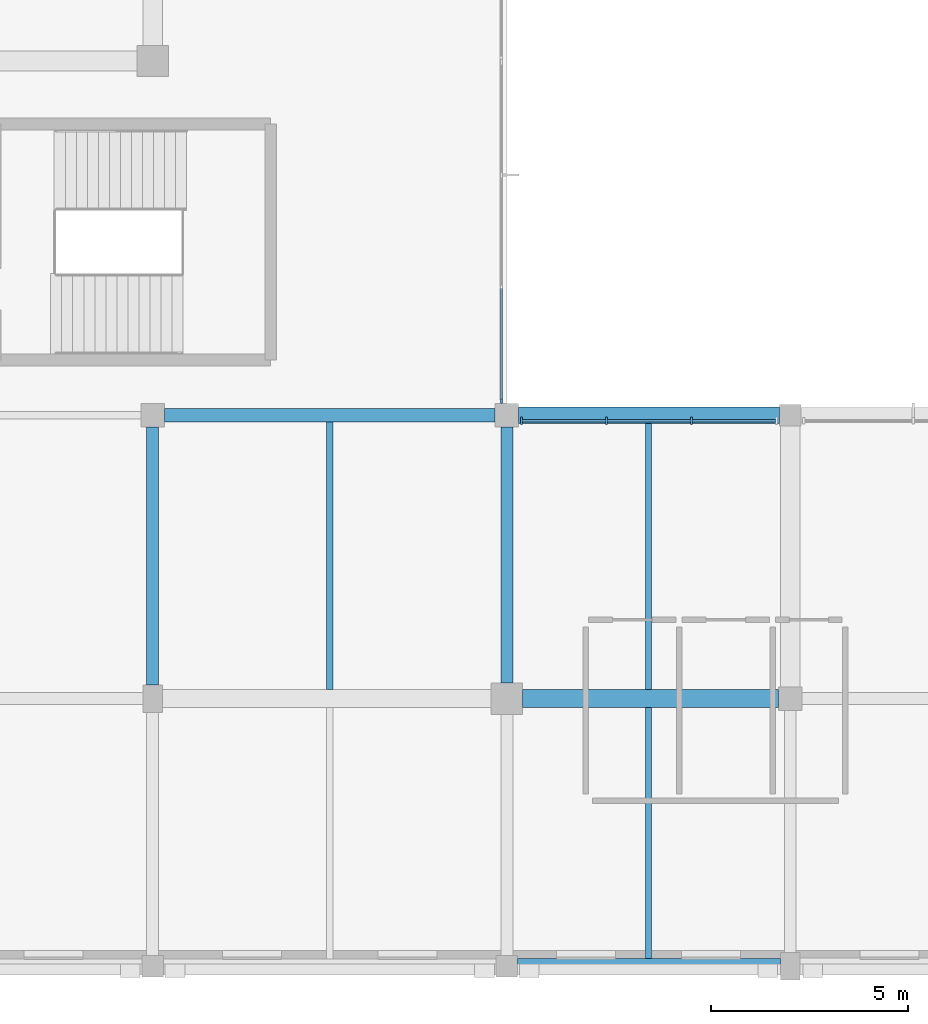
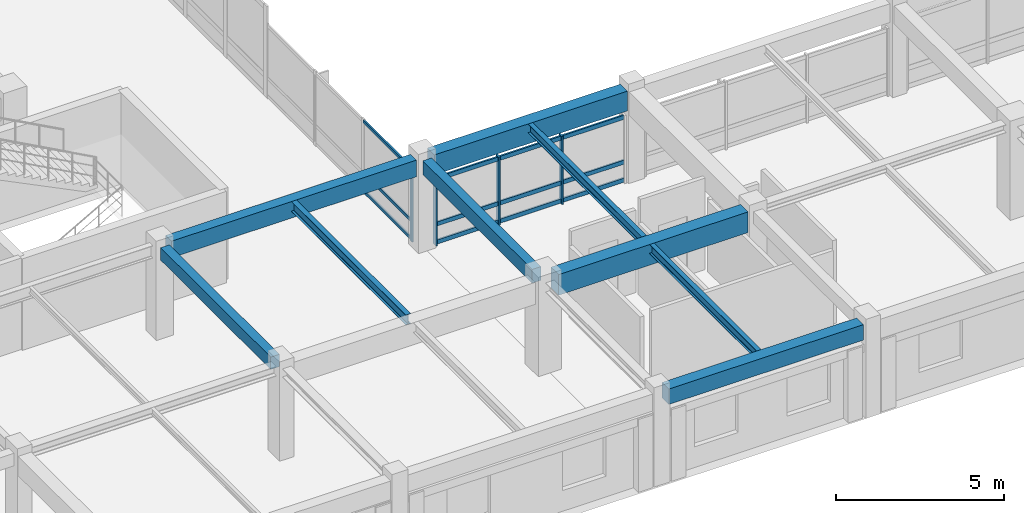
# One storey, part 5 of 74: 16 members, 9 beams, 2 elements without a shape of their own.
"""IFC4 building model written with IfcOpenShell, lengths in metres."""

from ifc_helpers import new_model, si_unit, direction, frame, origin, origin_2d, place, context, subcontext, project, spatial, rectangle, i_section, extrude, material, material_profile, profile_set, type_object, element, aggregate, save


model = new_model("IFC4")

# Units and contexts
model_context = context("Model", 3, precision=1e-05, world=origin(), true_north=direction((0.0, 1.0)))
body_context = subcontext(model_context, "Body", "Model", "MODEL_VIEW")
ifc_project = project(units=[si_unit("LENGTHUNIT", "METRE"), si_unit("AREAUNIT", "SQUARE_METRE"), si_unit("VOLUMEUNIT", "CUBIC_METRE"), si_unit("PLANEANGLEUNIT", "RADIAN"), si_unit("MASSUNIT", "GRAM", prefix="KILO")], contexts=[model_context])

# Site, building, storey
site_placement = place(None, origin())
site = spatial("IfcSite", under=ifc_project, at=site_placement, CompositionType="ELEMENT")
building_placement = place(site_placement, origin())
building = spatial("IfcBuilding", under=site, at=building_placement, Name="Clarverna Civic Hall", CompositionType="ELEMENT")
storey_placement = place(building_placement, frame((0.0, 0.0, 9.60009765625)))
storey = spatial("IfcBuildingStorey", under=building, at=storey_placement, Name="L02", CompositionType="ELEMENT", Elevation=9.60009765625)

# Beams
ifc_material_1 = material(Name="Concrete C35/45", Category="concrete")
ifc_material_profile_1 = material_profile(ifc_material_1, rectangle(XDim=0.300048828125, YDim=0.5, at=origin_2d()), Name="RC 300x500")
ifc_profile_set_1 = profile_set([ifc_material_profile_1], Name="Concrete C35/45")
beam_type_1 = type_object("IfcBeamType", Name="B-RC12", PredefinedType="BEAM", material=ifc_profile_set_1)
beam_1_placement = place(storey_placement, frame((25.199951171875, 7.199951171875, 3.06982421875), z_axis=(0.0, 1.0, 0.0), x_axis=(-1.0, 0.0, 0.0)))
element("IfcBeam", 1, at=beam_1_placement, inside=storey, type_object=beam_type_1, Name="B-RC12-040", PredefinedType="BEAM", context=body_context, shape_type="SweptSolid", body=[
    extrude(rectangle(XDim=0.300048828125, YDim=0.5, at=origin_2d()), origin(), (0.0, 0.0, 1.0), 6.5),
])
ifc_material_profile_2 = material_profile(ifc_material_1, rectangle(XDim=0.300048828125, YDim=0.449951171875, at=origin_2d()), Name="RC 300x450")
ifc_profile_set_2 = profile_set([ifc_material_profile_2], Name="Concrete C35/45")
beam_type_2 = type_object("IfcBeamType", Name="B-RC18", PredefinedType="BEAM", material=ifc_profile_set_2)
beam_2_placement = place(storey_placement, frame((16.199951171875, 7.14990234375, 3.094970703125), z_axis=(0.0, 1.0, 0.0), x_axis=(-1.0, 0.0, 0.0)))
element("IfcBeam", 2, at=beam_2_placement, inside=storey, type_object=beam_type_2, Name="B-RC18-036", PredefinedType="BEAM", context=body_context, shape_type="SweptSolid", body=[
    extrude(rectangle(XDim=0.300048828125, YDim=0.449951171875, at=origin_2d()), origin(), (0.0, 0.0, 1.0), 6.550048828125),
])
ifc_material_profile_3 = material_profile(ifc_material_1, rectangle(XDim=0.449951171875, YDim=0.75, at=origin_2d()), Name="RC 450x750")
ifc_profile_set_3 = profile_set([ifc_material_profile_3], Name="Concrete C35/45")
beam_type_3 = type_object("IfcBeamType", Name="B-RC3", PredefinedType="BEAM", material=ifc_profile_set_3)
beam_3_placement = place(storey_placement, frame((25.60009765625, 6.800048828125, 2.94482421875), z_axis=(1.0, 0.0, 0.0), x_axis=(0.0, 1.0, 0.0)))
element("IfcBeam", 3, at=beam_3_placement, inside=storey, type_object=beam_type_3, Name="B-RC3-027", PredefinedType="BEAM", context=body_context, shape_type="SweptSolid", body=[
    extrude(rectangle(XDim=0.449951171875, YDim=0.75, at=origin_2d()), origin(), (0.0, 0.0, 1.0), 6.5),
])
ifc_material_profile_4 = material_profile(ifc_material_1, rectangle(XDim=0.35009765625, YDim=0.60009765625, at=origin_2d()), Name="RC 350x600")
ifc_profile_set_4 = profile_set([ifc_material_profile_4], Name="Concrete C35/45")
beam_type_4 = type_object("IfcBeamType", Name="B-RC8", PredefinedType="BEAM", material=ifc_profile_set_4)
beam_4_placement = place(storey_placement, frame((16.5, 14.0, 3.02001953125), z_axis=(1.0, 0.0, 0.0), x_axis=(0.0, 1.0, 0.0)))
element("IfcBeam", 4, at=beam_4_placement, inside=storey, type_object=beam_type_4, Name="B-RC8-024", PredefinedType="BEAM", context=body_context, shape_type="SweptSolid", body=[
    extrude(rectangle(XDim=0.35009765625, YDim=0.60009765625, at=origin_2d()), origin(), (0.0, 0.0, 1.0), 8.39990234375),
])
ifc_material_profile_5 = material_profile(ifc_material_1, rectangle(XDim=0.419921875, YDim=0.719970703125, at=origin_2d()), Name="RC 420x720")
ifc_profile_set_5 = profile_set([ifc_material_profile_5], Name="Concrete C35/45")
beam_type_5 = type_object("IfcBeamType", Name="B-SP1", PredefinedType="SPANDREL", material=ifc_profile_set_5)
beam_5_placement = place(storey_placement, frame((25.5, 14.0, 2.9599609375), z_axis=(1.0, 0.0, 0.0), x_axis=(0.0, 1.0, 0.0)))
element("IfcBeam", 5, at=beam_5_placement, inside=storey, type_object=beam_type_5, Name="B-SP1-083", PredefinedType="SPANDREL", context=body_context, shape_type="SweptSolid", body=[
    extrude(rectangle(XDim=0.419921875, YDim=0.719970703125, at=origin_2d()), origin(), (0.0, 0.0, 1.0), 6.625),
])
ifc_material_profile_6 = material_profile(ifc_material_1, rectangle(XDim=0.39990234375, YDim=0.56005859375, at=origin_2d()), Name="RC 400x560")
ifc_profile_set_6 = profile_set([ifc_material_profile_6], Name="Concrete C35/45")
beam_type_6 = type_object("IfcBeamType", Name="B-SP4", PredefinedType="SPANDREL", material=ifc_profile_set_6)
beam_6_placement = place(storey_placement, frame((25.47509765625, 0.0, 3.039794921875), z_axis=(1.0, 0.0, 0.0), x_axis=(0.0, 1.0, 0.0)))
element("IfcBeam", 6, at=beam_6_placement, inside=storey, type_object=beam_type_6, Name="B-SP4-081", PredefinedType="SPANDREL", context=body_context, shape_type="SweptSolid", body=[
    extrude(rectangle(XDim=0.39990234375, YDim=0.56005859375, at=origin_2d()), origin(), (0.0, 0.0, 1.0), 6.6748046875),
])

# Curtain wall, members
ifc_material_2 = material(Name="Anodised Bronze Architectural Aluminium", Category="aluminium")
curtain_wall_type = type_object("IfcCurtainWallType", Name="CW-01", PredefinedType="USERDEFINED", material=ifc_material_2)
curtain_wall_1_placement = place(storey_placement, origin())
curtain_wall_1 = element("IfcCurtainWall", 7, at=curtain_wall_1_placement, inside=storey, type_object=curtain_wall_type, Name="CW-01-058", ObjectType="UNITISED CURTAIN WALL", PredefinedType="USERDEFINED")
ifc_material_profile_7 = material_profile(ifc_material_2, rectangle(XDim=0.06005859375, YDim=0.179931640625, at=origin_2d()), Name="BRONZE 60x180")
ifc_profile_set_7 = profile_set([ifc_material_profile_7], Name="Anodised Bronze Architectural Aluminium")
member_type_1 = type_object("IfcMemberType", Name="CWM-01", PredefinedType="MULLION", material=ifc_profile_set_7)
member_1_placement = place(storey_placement, frame((25.572998046875, 13.860107421875, 0.0), z_axis=(0.0, 0.0, 1.0), x_axis=(1.0, 0.0, 0.0)))
member_1 = element("IfcMember", 8, at=member_1_placement, type_object=member_type_1, Name="CWM-01-109", PredefinedType="MULLION", context=body_context, shape_type="SweptSolid", body=[
    extrude(rectangle(XDim=0.06005859375, YDim=0.179931640625, at=origin_2d()), origin(), (0.0, 0.0, 1.0), 2.469970703125),
])
member_2_placement = place(storey_placement, frame((27.732666015625, 13.860107421875, 0.0), z_axis=(0.0, 0.0, 1.0), x_axis=(1.0, 0.0, 0.0)))
member_2 = element("IfcMember", 9, at=member_2_placement, type_object=member_type_1, Name="CWM-01-110", PredefinedType="MULLION", context=body_context, shape_type="SweptSolid", body=[
    extrude(rectangle(XDim=0.06005859375, YDim=0.179931640625, at=origin_2d()), origin(), (0.0, 0.0, 1.0), 2.469970703125),
])
member_3_placement = place(storey_placement, frame((29.892333984375, 13.860107421875, 0.0), z_axis=(0.0, 0.0, 1.0), x_axis=(1.0, 0.0, 0.0)))
member_3 = element("IfcMember", 10, at=member_3_placement, type_object=member_type_1, Name="CWM-01-111", PredefinedType="MULLION", context=body_context, shape_type="SweptSolid", body=[
    extrude(rectangle(XDim=0.06005859375, YDim=0.179931640625, at=origin_2d()), origin(), (0.0, 0.0, 1.0), 2.469970703125),
])

# Curtain wall, member
curtain_wall_2_placement = place(storey_placement, origin())
curtain_wall_2 = element("IfcCurtainWall", 11, at=curtain_wall_2_placement, inside=storey, type_object=curtain_wall_type, Name="CW-01-057", ObjectType="UNITISED CURTAIN WALL", PredefinedType="USERDEFINED")
ifc_material_profile_8 = material_profile(ifc_material_2, rectangle(XDim=0.054931640625, YDim=0.139892578125, at=origin_2d()), Name="BRONZE 55x140")
ifc_profile_set_8 = profile_set([ifc_material_profile_8], Name="Anodised Bronze Architectural Aluminium")
member_type_2 = type_object("IfcMemberType", Name="CWM-04", PredefinedType="MULLION", material=ifc_profile_set_8)
member_4_placement = place(storey_placement, frame((25.06005859375, 14.373046875, 0.0), z_axis=(0.0, 0.0, 1.0), x_axis=(1.0, 0.0, 0.0)))
member_4 = element("IfcMember", 12, at=member_4_placement, type_object=member_type_2, Name="CWM-04-140", PredefinedType="MULLION", context=body_context, shape_type="SweptSolid", body=[
    extrude(rectangle(XDim=0.054931640625, YDim=0.139892578125, at=origin_2d()), origin(), (0.0, 0.0, 1.0), 2.719970703125),
])

# Member
ifc_material_profile_9 = material_profile(ifc_material_2, rectangle(XDim=0.06005859375, YDim=0.14990234375, at=origin_2d()), Name="BRONZE 60x150")
ifc_profile_set_9 = profile_set([ifc_material_profile_9], Name="Anodised Bronze Architectural Aluminium")
member_type_3 = type_object("IfcMemberType", Name="CWT-01", PredefinedType="USERDEFINED", material=ifc_profile_set_9)
member_5_placement = place(storey_placement, frame((25.587890625, 13.860107421875, 0.094970703125), z_axis=(1.0, 0.0, 0.0), x_axis=(0.0, 1.0, 0.0)))
member_5 = element("IfcMember", 13, at=member_5_placement, type_object=member_type_3, Name="CWT-01-229", ObjectType="TRANSOM", PredefinedType="USERDEFINED", context=body_context, shape_type="SweptSolid", body=[
    extrude(rectangle(XDim=0.06005859375, YDim=0.14990234375, at=origin_2d()), origin(), (0.0, 0.0, 1.0), 2.1298828125),
])

member_6_placement = place(storey_placement, frame((25.587890625, 13.860107421875, 0.75), z_axis=(1.0, 0.0, 0.0), x_axis=(0.0, 1.0, 0.0)))
member_6 = element("IfcMember", 14, at=member_6_placement, type_object=member_type_3, Name="CWT-01-230", ObjectType="TRANSOM", PredefinedType="USERDEFINED", context=body_context, shape_type="SweptSolid", body=[
    extrude(rectangle(XDim=0.06005859375, YDim=0.14990234375, at=origin_2d()), origin(), (0.0, 0.0, 1.0), 2.1298828125),
])

member_7_placement = place(storey_placement, frame((25.587890625, 13.860107421875, 2.375), z_axis=(1.0, 0.0, 0.0), x_axis=(0.0, 1.0, 0.0)))
member_7 = element("IfcMember", 15, at=member_7_placement, type_object=member_type_3, Name="CWT-01-231", ObjectType="TRANSOM", PredefinedType="USERDEFINED", context=body_context, shape_type="SweptSolid", body=[
    extrude(rectangle(XDim=0.06005859375, YDim=0.14990234375, at=origin_2d()), origin(), (0.0, 0.0, 1.0), 2.1298828125),
])

member_8_placement = place(storey_placement, frame((27.747802734375, 13.860107421875, 0.094970703125), z_axis=(1.0, 0.0, 0.0), x_axis=(0.0, 1.0, 0.0)))
member_8 = element("IfcMember", 16, at=member_8_placement, type_object=member_type_3, Name="CWT-01-232", ObjectType="TRANSOM", PredefinedType="USERDEFINED", context=body_context, shape_type="SweptSolid", body=[
    extrude(rectangle(XDim=0.06005859375, YDim=0.14990234375, at=origin_2d()), origin(), (0.0, 0.0, 1.0), 2.12939453125),
])

member_9_placement = place(storey_placement, frame((27.747802734375, 13.860107421875, 0.75), z_axis=(1.0, 0.0, 0.0), x_axis=(0.0, 1.0, 0.0)))
member_9 = element("IfcMember", 17, at=member_9_placement, type_object=member_type_3, Name="CWT-01-233", ObjectType="TRANSOM", PredefinedType="USERDEFINED", context=body_context, shape_type="SweptSolid", body=[
    extrude(rectangle(XDim=0.06005859375, YDim=0.14990234375, at=origin_2d()), origin(), (0.0, 0.0, 1.0), 2.12939453125),
])

member_10_placement = place(storey_placement, frame((27.747802734375, 13.860107421875, 2.375), z_axis=(1.0, 0.0, 0.0), x_axis=(0.0, 1.0, 0.0)))
member_10 = element("IfcMember", 18, at=member_10_placement, type_object=member_type_3, Name="CWT-01-234", ObjectType="TRANSOM", PredefinedType="USERDEFINED", context=body_context, shape_type="SweptSolid", body=[
    extrude(rectangle(XDim=0.06005859375, YDim=0.14990234375, at=origin_2d()), origin(), (0.0, 0.0, 1.0), 2.12939453125),
])

member_11_placement = place(storey_placement, frame((29.9072265625, 13.860107421875, 0.094970703125), z_axis=(1.0, 0.0, 0.0), x_axis=(0.0, 1.0, 0.0)))
member_11 = element("IfcMember", 19, at=member_11_placement, type_object=member_type_3, Name="CWT-01-235", ObjectType="TRANSOM", PredefinedType="USERDEFINED", context=body_context, shape_type="SweptSolid", body=[
    extrude(rectangle(XDim=0.06005859375, YDim=0.14990234375, at=origin_2d()), origin(), (0.0, 0.0, 1.0), 2.1298828125),
])

member_12_placement = place(storey_placement, frame((29.9072265625, 13.860107421875, 0.75), z_axis=(1.0, 0.0, 0.0), x_axis=(0.0, 1.0, 0.0)))
member_12 = element("IfcMember", 20, at=member_12_placement, type_object=member_type_3, Name="CWT-01-236", ObjectType="TRANSOM", PredefinedType="USERDEFINED", context=body_context, shape_type="SweptSolid", body=[
    extrude(rectangle(XDim=0.06005859375, YDim=0.14990234375, at=origin_2d()), origin(), (0.0, 0.0, 1.0), 2.1298828125),
])

member_13_placement = place(storey_placement, frame((29.9072265625, 13.860107421875, 2.375), z_axis=(1.0, 0.0, 0.0), x_axis=(0.0, 1.0, 0.0)))
member_13 = element("IfcMember", 21, at=member_13_placement, type_object=member_type_3, Name="CWT-01-237", ObjectType="TRANSOM", PredefinedType="USERDEFINED", context=body_context, shape_type="SweptSolid", body=[
    extrude(rectangle(XDim=0.06005859375, YDim=0.14990234375, at=origin_2d()), origin(), (0.0, 0.0, 1.0), 2.1298828125),
])

aggregate(curtain_wall_1, [member_1, member_2, member_3, member_5, member_6, member_7, member_8, member_9, member_10, member_11, member_12, member_13])

ifc_material_profile_10 = material_profile(ifc_material_2, rectangle(XDim=0.054931640625, YDim=0.110107421875, at=origin_2d()), Name="BRONZE 55x110")
ifc_profile_set_10 = profile_set([ifc_material_profile_10], Name="Anodised Bronze Architectural Aluminium")
member_type_4 = type_object("IfcMemberType", Name="CWT-04", PredefinedType="USERDEFINED", material=ifc_profile_set_10)
member_14_placement = place(storey_placement, frame((25.06005859375, 17.22265625, 0.094970703125), z_axis=(0.0, -1.0, 0.0), x_axis=(1.0, 0.0, 0.0)))
member_14 = element("IfcMember", 22, at=member_14_placement, type_object=member_type_4, Name="CWT-04-292", ObjectType="TRANSOM", PredefinedType="USERDEFINED", context=body_context, shape_type="SweptSolid", body=[
    extrude(rectangle(XDim=0.054931640625, YDim=0.110107421875, at=origin_2d()), origin(), (0.0, 0.0, 1.0), 2.834716796875),
])

member_15_placement = place(storey_placement, frame((25.06005859375, 17.22265625, 0.75), z_axis=(0.0, -1.0, 0.0), x_axis=(1.0, 0.0, 0.0)))
member_15 = element("IfcMember", 23, at=member_15_placement, type_object=member_type_4, Name="CWT-04-293", ObjectType="TRANSOM", PredefinedType="USERDEFINED", context=body_context, shape_type="SweptSolid", body=[
    extrude(rectangle(XDim=0.054931640625, YDim=0.110107421875, at=origin_2d()), origin(), (0.0, 0.0, 1.0), 2.834716796875),
])

member_16_placement = place(storey_placement, frame((25.06005859375, 17.22265625, 2.625), z_axis=(0.0, -1.0, 0.0), x_axis=(1.0, 0.0, 0.0)))
member_16 = element("IfcMember", 24, at=member_16_placement, type_object=member_type_4, Name="CWT-04-294", ObjectType="TRANSOM", PredefinedType="USERDEFINED", context=body_context, shape_type="SweptSolid", body=[
    extrude(rectangle(XDim=0.054931640625, YDim=0.110107421875, at=origin_2d()), origin(), (0.0, 0.0, 1.0), 2.834716796875),
])

aggregate(curtain_wall_2, [member_4, member_14, member_15, member_16])

# Beams
ifc_material_3 = material(Name="Steel S355", Category="steel")
ifc_material_profile_11 = material_profile(ifc_material_3, i_section(OverallWidth=0.169921875, OverallDepth=0.360107421875, WebThickness=0.008056640625, FlangeThickness=0.0126953125, FilletRadius=0.01806640625, at=origin_2d()), Name="IPE 360")
ifc_profile_set_11 = profile_set([ifc_material_profile_11], Name="Steel S355")
beam_type_7 = type_object("IfcBeamType", Name="J-ST1", PredefinedType="JOIST", material=ifc_profile_set_11)
beam_7_placement = place(storey_placement, frame((20.699951171875, 7.02490234375, 3.139892578125), z_axis=(0.0, 1.0, 0.0), x_axis=(-1.0, 0.0, 0.0)))
element("IfcBeam", 25, at=beam_7_placement, inside=storey, type_object=beam_type_7, Name="J-ST1-049", PredefinedType="JOIST", context=body_context, shape_type="SweptSolid", body=[
    extrude(i_section(OverallWidth=0.169921875, OverallDepth=0.360107421875, WebThickness=0.008056640625, FlangeThickness=0.0126953125, FilletRadius=0.01806640625, at=origin_2d()), origin(), (0.0, 0.0, 1.0), 6.800048828125),
])
ifc_material_profile_12 = material_profile(ifc_material_3, i_section(OverallWidth=0.159912109375, OverallDepth=0.330078125, WebThickness=0.007568359375, FlangeThickness=0.011474609375, FilletRadius=0.01806640625, at=origin_2d()), Name="IPE 330")
ifc_profile_set_12 = profile_set([ifc_material_profile_12], Name="Steel S355")
beam_type_8 = type_object("IfcBeamType", Name="J-ST2", PredefinedType="JOIST", material=ifc_profile_set_12)
beam_8_placement = place(storey_placement, frame((28.800048828125, 0.199951171875, 3.15478515625), z_axis=(0.0, 1.0, 0.0), x_axis=(-1.0, 0.0, 0.0)))
element("IfcBeam", 26, at=beam_8_placement, inside=storey, type_object=beam_type_8, Name="J-ST2-048", PredefinedType="JOIST", context=body_context, shape_type="SweptSolid", body=[
    extrude(i_section(OverallWidth=0.159912109375, OverallDepth=0.330078125, WebThickness=0.007568359375, FlangeThickness=0.011474609375, FilletRadius=0.01806640625, at=origin_2d()), origin(), (0.0, 0.0, 1.0), 6.375),
])
beam_9_placement = place(storey_placement, frame((28.800048828125, 7.02490234375, 3.15478515625), z_axis=(0.0, 1.0, 0.0), x_axis=(-1.0, 0.0, 0.0)))
element("IfcBeam", 27, at=beam_9_placement, inside=storey, type_object=beam_type_8, Name="J-ST2-049", PredefinedType="JOIST", context=body_context, shape_type="SweptSolid", body=[
    extrude(i_section(OverallWidth=0.159912109375, OverallDepth=0.330078125, WebThickness=0.007568359375, FlangeThickness=0.011474609375, FilletRadius=0.01806640625, at=origin_2d()), origin(), (0.0, 0.0, 1.0), 6.76513671875),
])

save(model, "model.ifc")
